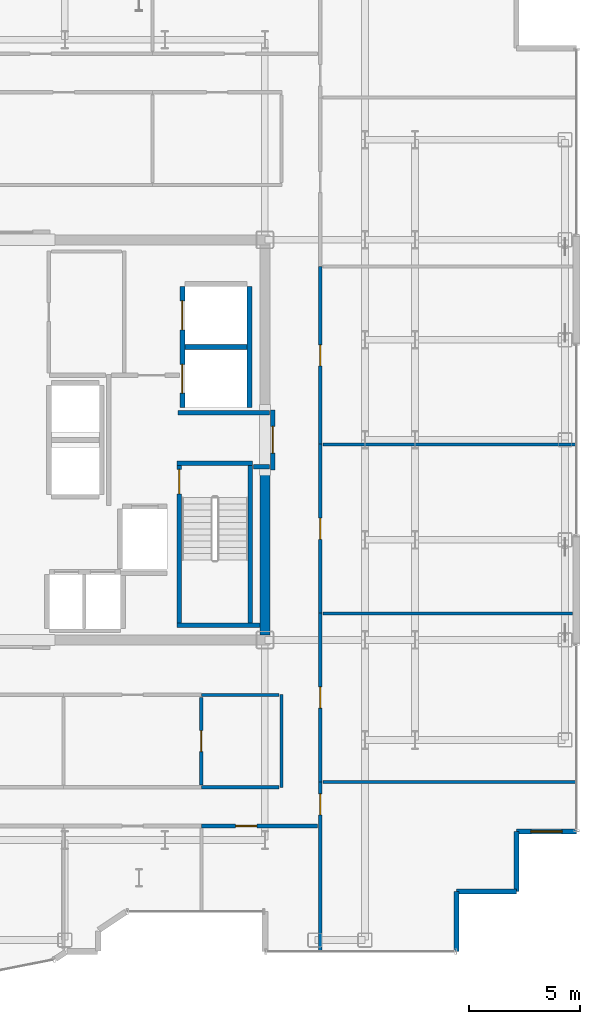
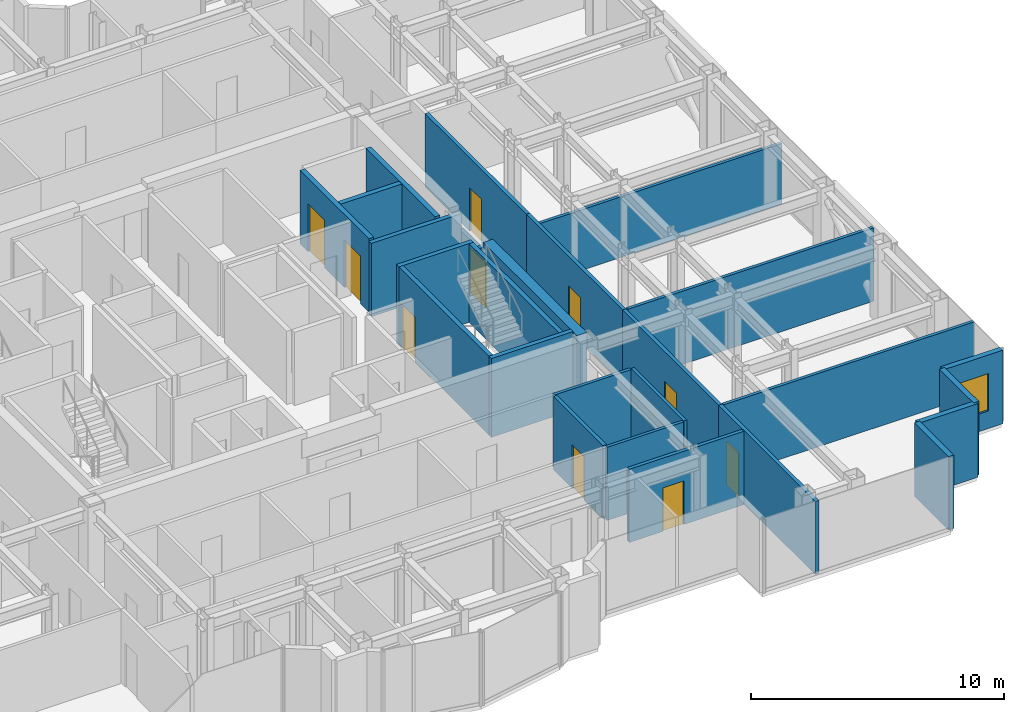
# One storey, part 18 of 21: 27 walls, 10 doors, 1 window, 11 openings.
"""IFC4 building model written with IfcOpenShell, lengths in metres."""

from ifc_helpers import new_model, si_unit, direction, frame, frame_2d, origin, place, context, subcontext, project, spatial, rectangle, extrude, source, transform, mapped, material, layer, layer_set, type_object, element, fill, save


model = new_model("IFC4")

# Units and contexts
model_context = context("Model", 3, precision=1e-05, world=origin(), true_north=direction((0.0, 1.0)))
body_context = subcontext(model_context, "Body", "Model", "MODEL_VIEW")
ifc_project = project(units=[si_unit("LENGTHUNIT", "METRE"), si_unit("AREAUNIT", "SQUARE_METRE"), si_unit("VOLUMEUNIT", "CUBIC_METRE"), si_unit("PLANEANGLEUNIT", "RADIAN"), si_unit("MASSUNIT", "GRAM", prefix="KILO")], contexts=[model_context])

# Site, building, storey
site_placement = place(None, origin())
site = spatial("IfcSite", under=ifc_project, at=site_placement, CompositionType="ELEMENT")
building_placement = place(site_placement, origin())
building = spatial("IfcBuilding", under=site, at=building_placement, Name="Nefas-Gora Pilgrimage Tower", CompositionType="ELEMENT")
storey_placement = place(building_placement, frame((0.0, 0.0, 229.39990234375)))
storey = spatial("IfcBuildingStorey", under=building, at=storey_placement, Name="L57", CompositionType="ELEMENT", Elevation=229.39990234375)

# Walls
ifc_material_1 = material(Name="Concrete C50/60", Category="concrete")
ifc_layer_1 = layer(ifc_material_1, 0.449951171875)
ifc_layer_set_1 = layer_set([ifc_layer_1], Name="Concrete C50/60")
wall_type_1 = type_object("IfcWallType", Name="SW-CORE-450", PredefinedType="SHEAR", material=ifc_layer_set_1)
shared_shape_1 = source(origin(), body_context, "Body", "SweptSolid", [
    extrude(rectangle(XDim=7.4248046875, YDim=0.449951171875, at=frame_2d((3.71240234375, 0.0))), origin(), (0.0, 0.0, 1.0), 3.800048828125),
])
wall_1_placement = place(storey_placement, frame((11.25, -8.77490234375, 0.0), z_axis=(0.0, 0.0, 1.0), x_axis=(0.0, 1.0, 0.0)))
element("IfcWall", 1, at=wall_1_placement, inside=storey, type_object=wall_type_1, Name="L57 Core Shear Wall E-South", PredefinedType="SHEAR", context=body_context, shape_type="MappedRepresentation", body=[
    mapped(shared_shape_1, transform((0.0, 0.0, 0.0), x_axis=(1.0, 0.0, 0.0), y_axis=(0.0, 1.0, 0.0), z_axis=(0.0, 0.0, 1.0), scale=1.0)),
])
ifc_material_2 = material(Name="Precast concrete C45/55", Category="concrete")
ifc_layer_2 = layer(ifc_material_2, 0.239990234375)
ifc_layer_set_2 = layer_set([ifc_layer_2], Name="Precast concrete C45/55")
wall_type_2 = type_object("IfcWallType", Name="EW-SERR-240", PredefinedType="SHEAR", material=ifc_layer_set_2)
shared_shape_2 = source(origin(), body_context, "Body", "SweptSolid", [
    extrude(rectangle(XDim=2.699951171875, YDim=0.239990234375, at=frame_2d((1.35009765625, 0.0))), origin(), (0.0, 0.0, 1.0), 3.550048828125),
])
for number, where, z_axis, x_axis, name in (
    (2, (19.8701171875, -23.02001953125, 0.0), (0.0, 0.0, 1.0), (0.0, 1.0, 0.0), "L57 Serrated Corner Shear Pier Wall 6"),
    (3, (19.8701171875, -20.320068359375, 0.0), (0.0, 0.0, 1.0), (1.0, 0.0, 0.0), "L57 Serrated Corner Shear Pier Wall 7"),
    (4, (22.570068359375, -20.320068359375, 0.0), (0.0, 0.0, 1.0), (0.0, 1.0, 0.0), "L57 Serrated Corner Shear Pier Wall 8"),
):
    element("IfcWall", number, at=place(storey_placement, frame(where, z_axis=z_axis, x_axis=x_axis)), inside=storey, type_object=wall_type_2, Name=name, PredefinedType="SHEAR", context=body_context, shape_type="MappedRepresentation", body=[
        mapped(shared_shape_2, transform((0.0, 0.0, 0.0), x_axis=(1.0, 0.0, 0.0), y_axis=(0.0, 1.0, 0.0), z_axis=(0.0, 0.0, 1.0), scale=1.0)),
    ])

# Wall, opening, window
wall_2_placement = place(storey_placement, frame((22.570068359375, -17.6201171875, 0.0), z_axis=(0.0, 0.0, 1.0), x_axis=(1.0, 0.0, 0.0)))
wall_2 = element("IfcWall", 5, at=wall_2_placement, inside=storey, type_object=wall_type_2, Name="L57 Serrated Corner Shear Pier Wall 9", PredefinedType="SHEAR", context=body_context, shape_type="MappedRepresentation", body=[
    mapped(shared_shape_2, transform((0.0, 0.0, 0.0), x_axis=(1.0, 0.0, 0.0), y_axis=(0.0, 1.0, 0.0), z_axis=(0.0, 0.0, 1.0), scale=1.0)),
])
opening_1_placement = place(wall_2_placement, frame((0.64990234375, 0.0, 0.85009765625)))
opening_1 = element("IfcOpeningElement", 6, at=opening_1_placement, cuts=wall_2, Name="Opening W-V2", PredefinedType="OPENING", context=body_context, shape_type="SweptSolid", body=[
    extrude(rectangle(XDim=1.39990234375, YDim=1.800048828125, at=frame_2d((0.699951171875, 0.89990234375))), frame((0.0, 0.1298828125, 0.0), z_axis=(0.0, -1.0, 0.0), x_axis=(1.0, 0.0, 0.0)), (0.0, 0.0, 1.0), 0.260009765625),
])
ifc_material_3 = material(Name="Dark ceramic-fritted operable aluminium-glass window", Category="aluminium")
window_type = type_object("IfcWindowType", Name="WIN-VENT-1400x1800", PartitioningType="SINGLE_PANEL", PredefinedType="WINDOW", material=ifc_material_3)
shared_shape_3 = source(origin(), body_context, "Body", "SweptSolid", [
    extrude(rectangle(XDim=1.39990234375, YDim=1.800048828125, at=frame_2d((0.699951171875, 0.89990234375))), frame((0.0, 0.030029296875, 0.0), z_axis=(0.0, -1.0, 0.0), x_axis=(1.0, 0.0, 0.0)), (0.0, 0.0, 1.0), 0.06005859375),
])
window_placement = place(opening_1_placement, origin())
window = element("IfcWindow", 7, at=window_placement, inside=storey, type_object=window_type, Name="L57 Operable Parallel-Outswing Window 9", OverallHeight=1.800048828125, OverallWidth=1.39990234375, PartitioningType="SINGLE_PANEL", PredefinedType="WINDOW", context=body_context, shape_type="MappedRepresentation", body=[
    mapped(shared_shape_3, transform((0.0, 0.0, 0.0), x_axis=(1.0, 0.0, 0.0), y_axis=(0.0, 1.0, 0.0), z_axis=(0.0, 0.0, 1.0), scale=1.0)),
])
fill(opening_1, window)

# Wall
ifc_material_4 = material(Name="Concrete C45/55", Category="concrete")
ifc_layer_3 = layer(ifc_material_4, 0.199951171875)
ifc_layer_set_3 = layer_set([ifc_layer_3], Name="Concrete C45/55")
wall_type_3 = type_object("IfcWallType", Name="IW-STAIR-200", PredefinedType="SOLIDWALL", material=ifc_layer_set_3)
shared_shape_4 = source(origin(), body_context, "Body", "SweptSolid", [
    extrude(rectangle(XDim=3.39990234375, YDim=0.199951171875, at=frame_2d((1.699951171875, 0.0))), origin(), (0.0, 0.0, 1.0), 3.800048828125),
])
wall_3_placement = place(storey_placement, frame((7.300048828125, -1.050048828125, 0.0), z_axis=(0.0, 0.0, 1.0), x_axis=(1.0, 0.0, 0.0)))
element("IfcWall", 8, at=wall_3_placement, inside=storey, type_object=wall_type_3, Name="L57 Stairwell Shear Wall ST-02-near", PredefinedType="SOLIDWALL", context=body_context, shape_type="MappedRepresentation", body=[
    mapped(shared_shape_4, transform((0.0, 0.0, 0.0), x_axis=(1.0, 0.0, 0.0), y_axis=(0.0, 1.0, 0.0), z_axis=(0.0, 0.0, 1.0), scale=1.0)),
])

# Wall, opening, door
shared_shape_5 = source(origin(), body_context, "Body", "SweptSolid", [
    extrude(rectangle(XDim=7.10009765625, YDim=0.199951171875, at=frame_2d((3.550048828125, 0.0))), origin(), (0.0, 0.0, 1.0), 3.800048828125),
])
wall_4_placement = place(storey_placement, frame((7.39990234375, -1.14990234375, 0.0), z_axis=(0.0, 0.0, 1.0), x_axis=(0.0, -1.0, 0.0)))
wall_4 = element("IfcWall", 9, at=wall_4_placement, inside=storey, type_object=wall_type_3, Name="L57 Stairwell Shear Wall ST-02-left", PredefinedType="SOLIDWALL", context=body_context, shape_type="MappedRepresentation", body=[
    mapped(shared_shape_5, transform((0.0, 0.0, 0.0), x_axis=(1.0, 0.0, 0.0), y_axis=(0.0, 1.0, 0.0), z_axis=(0.0, 0.0, 1.0), scale=1.0)),
])
opening_2_placement = place(wall_4_placement, frame((0.179931640625, 0.0, 0.0)))
opening_2 = element("IfcOpeningElement", 10, at=opening_2_placement, cuts=wall_4, Name="Opening ID-ST1", PredefinedType="OPENING", context=body_context, shape_type="SweptSolid", body=[
    extrude(rectangle(XDim=1.10009765625, YDim=2.14990234375, at=frame_2d((0.550048828125, 1.074951171875))), frame((0.0, 0.10986328125, 0.0), z_axis=(0.0, -1.0, 0.0), x_axis=(1.0, 0.0, 0.0)), (0.0, 0.0, 1.0), 0.219970703125),
])
ifc_material_5 = material(Name="Painted galvanised steel fire stair door", Category="steel")
door_type_1 = type_object("IfcDoorType", Name="DR-INT-STAIR-1100", OperationType="NOTDEFINED", PredefinedType="DOOR", material=ifc_material_5)
shared_shape_6 = source(origin(), body_context, "Body", "SweptSolid", [
    extrude(rectangle(XDim=1.10009765625, YDim=2.14990234375, at=frame_2d((0.550048828125, 1.074951171875))), frame((0.0, 0.02490234375, 0.0), z_axis=(0.0, -1.0, 0.0), x_axis=(1.0, 0.0, 0.0)), (0.0, 0.0, 1.0), 0.050048828125),
])
door_1_placement = place(opening_2_placement, origin())
door_1 = element("IfcDoor", 11, at=door_1_placement, inside=storey, type_object=door_type_1, Name="L57 Protected Exit Stair Door ST-02", OperationType="SINGLE_SWING_RIGHT", OverallHeight=2.14990234375, OverallWidth=1.10009765625, PredefinedType="DOOR", context=body_context, shape_type="MappedRepresentation", body=[
    mapped(shared_shape_6, transform((0.0, 0.0, 0.0), x_axis=(1.0, 0.0, 0.0), y_axis=(0.0, 1.0, 0.0), z_axis=(0.0, 0.0, 1.0), scale=1.0)),
])
fill(opening_2, door_1)

# Walls
wall_5_placement = place(storey_placement, frame((10.60009765625, -1.14990234375, 0.0), z_axis=(0.0, 0.0, 1.0), x_axis=(0.0, -1.0, 0.0)))
element("IfcWall", 12, at=wall_5_placement, inside=storey, type_object=wall_type_3, Name="L57 Stairwell Shear Wall ST-02-right", PredefinedType="SOLIDWALL", context=body_context, shape_type="MappedRepresentation", body=[
    mapped(shared_shape_5, transform((0.0, 0.0, 0.0), x_axis=(1.0, 0.0, 0.0), y_axis=(0.0, 1.0, 0.0), z_axis=(0.0, 0.0, 1.0), scale=1.0)),
])
shared_shape_7 = source(origin(), body_context, "Body", "SweptSolid", [
    extrude(rectangle(XDim=3.72998046875, YDim=0.199951171875, at=frame_2d((1.864990234375, 0.0))), origin(), (0.0, 0.0, 1.0), 3.800048828125),
])
wall_6_placement = place(storey_placement, frame((7.300048828125, -8.35009765625, 0.0), z_axis=(0.0, 0.0, 1.0), x_axis=(1.0, 0.0, 0.0)))
element("IfcWall", 13, at=wall_6_placement, inside=storey, type_object=wall_type_3, Name="L57 Stairwell Shear Wall ST-02-far", PredefinedType="SOLIDWALL", context=body_context, shape_type="MappedRepresentation", body=[
    mapped(shared_shape_7, transform((0.0, 0.0, 0.0), x_axis=(1.0, 0.0, 0.0), y_axis=(0.0, 1.0, 0.0), z_axis=(0.0, 0.0, 1.0), scale=1.0)),
])

# Wall, openings, doors
ifc_material_6 = material(Name="Concrete C40/50", Category="concrete")
ifc_layer_4 = layer(ifc_material_6, 0.219970703125)
ifc_layer_set_4 = layer_set([ifc_layer_4], Name="Concrete C40/50")
wall_type_4 = type_object("IfcWallType", Name="IW-SHAFT-220", PredefinedType="SOLIDWALL", material=ifc_layer_set_4)
shared_shape_8 = source(origin(), body_context, "Body", "SweptSolid", [
    extrude(rectangle(XDim=5.449951171875, YDim=0.219970703125, at=frame_2d((2.72509765625, 0.0))), origin(), (0.0, 0.0, 1.0), 3.53515625),
])
wall_7_placement = place(storey_placement, frame((7.5400390625, 6.89990234375, 0.0), z_axis=(0.0, 0.0, 1.0), x_axis=(0.0, -1.0, 0.0)))
wall_7 = element("IfcWall", 14, at=wall_7_placement, inside=storey, type_object=wall_type_4, Name="L57 Hoistway Wall SL-01-02-W", PredefinedType="SOLIDWALL", context=body_context, shape_type="MappedRepresentation", body=[
    mapped(shared_shape_8, transform((0.0, 0.0, 0.0), x_axis=(1.0, 0.0, 0.0), y_axis=(0.0, 1.0, 0.0), z_axis=(0.0, 0.0, 1.0), scale=1.0)),
])
opening_3_placement = place(wall_7_placement, frame((3.5, 0.0, 0.0)))
opening_3 = element("IfcOpeningElement", 15, at=opening_3_placement, cuts=wall_7, Name="Opening LD-SV", PredefinedType="OPENING", context=body_context, shape_type="SweptSolid", body=[
    extrude(rectangle(XDim=1.300048828125, YDim=2.300048828125, at=frame_2d((0.64990234375, 1.14990234375))), frame((0.0, 0.119873046875, 0.0), z_axis=(0.0, -1.0, 0.0), x_axis=(1.0, 0.0, 0.0)), (0.0, 0.0, 1.0), 0.239990234375),
])
opening_4_placement = place(wall_7_placement, frame((0.64990234375, 0.0, 0.0)))
opening_4 = element("IfcOpeningElement", 16, at=opening_4_placement, cuts=wall_7, Name="Opening LD-SV", PredefinedType="OPENING", context=body_context, shape_type="SweptSolid", body=[
    extrude(rectangle(XDim=1.300048828125, YDim=2.300048828125, at=frame_2d((0.64990234375, 1.14990234375))), frame((0.0, 0.119873046875, 0.0), z_axis=(0.0, -1.0, 0.0), x_axis=(1.0, 0.0, 0.0)), (0.0, 0.0, 1.0), 0.239990234375),
])
ifc_material_7 = material(Name="Heavy goods sliding lift landing door")
door_type_2 = type_object("IfcDoorType", Name="DR-LIFT-SERV-1300", OperationType="SLIDING_TO_RIGHT", PredefinedType="DOOR", material=ifc_material_7)
shared_shape_9 = source(origin(), body_context, "Body", "SweptSolid", [
    extrude(rectangle(XDim=1.300048828125, YDim=2.300048828125, at=frame_2d((0.64990234375, 1.14990234375))), frame((0.0, 0.02490234375, 0.0), z_axis=(0.0, -1.0, 0.0), x_axis=(1.0, 0.0, 0.0)), (0.0, 0.0, 1.0), 0.050048828125),
])
door_2_placement = place(opening_3_placement, origin())
door_2 = element("IfcDoor", 17, at=door_2_placement, inside=storey, type_object=door_type_2, Name="L57 Sliding Lift Landing Door SL-01", OperationType="SLIDING_TO_RIGHT", OverallHeight=2.300048828125, OverallWidth=1.300048828125, PredefinedType="DOOR", context=body_context, shape_type="MappedRepresentation", body=[
    mapped(shared_shape_9, transform((0.0, 0.0, 0.0), x_axis=(1.0, 0.0, 0.0), y_axis=(0.0, 1.0, 0.0), z_axis=(0.0, 0.0, 1.0), scale=1.0)),
])
fill(opening_3, door_2)
door_3_placement = place(opening_4_placement, origin())
door_3 = element("IfcDoor", 18, at=door_3_placement, inside=storey, type_object=door_type_2, Name="L57 Sliding Lift Landing Door SL-02", OperationType="SLIDING_TO_RIGHT", OverallHeight=2.300048828125, OverallWidth=1.300048828125, PredefinedType="DOOR", context=body_context, shape_type="MappedRepresentation", body=[
    mapped(shared_shape_9, transform((0.0, 0.0, 0.0), x_axis=(1.0, 0.0, 0.0), y_axis=(0.0, 1.0, 0.0), z_axis=(0.0, 0.0, 1.0), scale=1.0)),
])
fill(opening_4, door_3)

# Walls
wall_8_placement = place(storey_placement, frame((10.56005859375, 1.449951171875, 0.0), z_axis=(0.0, 0.0, 1.0), x_axis=(0.0, 1.0, 0.0)))
element("IfcWall", 19, at=wall_8_placement, inside=storey, type_object=wall_type_4, Name="L57 Hoistway Wall SL-01-02-E", PredefinedType="SOLIDWALL", context=body_context, shape_type="MappedRepresentation", body=[
    mapped(shared_shape_8, transform((0.0, 0.0, 0.0), x_axis=(1.0, 0.0, 0.0), y_axis=(0.0, 1.0, 0.0), z_axis=(0.0, 0.0, 1.0), scale=1.0)),
])
shared_shape_10 = source(origin(), body_context, "Body", "SweptSolid", [
    extrude(rectangle(XDim=2.780029296875, YDim=0.219970703125, at=frame_2d((1.39013671875, 0.0))), origin(), (0.0, 0.0, 1.0), 3.53515625),
])
wall_9_placement = place(storey_placement, frame((7.659912109375, 4.175048828125, 0.0), z_axis=(0.0, 0.0, 1.0), x_axis=(1.0, 0.0, 0.0)))
element("IfcWall", 20, at=wall_9_placement, inside=storey, type_object=wall_type_4, Name="L57 Hoistway Wall SL-01-02-DIV", PredefinedType="SOLIDWALL", context=body_context, shape_type="MappedRepresentation", body=[
    mapped(shared_shape_10, transform((0.0, 0.0, 0.0), x_axis=(1.0, 0.0, 0.0), y_axis=(0.0, 1.0, 0.0), z_axis=(0.0, 0.0, 1.0), scale=1.0)),
])
ifc_material_8 = material(Name="Gypsum fire-rated shaftwall")
ifc_layer_5 = layer(ifc_material_8, 0.199951171875)
ifc_layer_set_5 = layer_set([ifc_layer_5], Name="Gypsum fire-rated shaftwall")
wall_type_5 = type_object("IfcWallType", Name="IW-FFLOB-200", PredefinedType="PARTITIONING", material=ifc_layer_set_5)
shared_shape_11 = source(origin(), body_context, "Body", "SweptSolid", [
    extrude(rectangle(XDim=0.719970703125, YDim=0.199951171875, at=frame_2d((0.35986328125, 0.0))), origin(), (0.0, 0.0, 1.0), 3.53515625),
])
wall_10_placement = place(storey_placement, frame((10.739990234375, -1.219970703125, 0.0), z_axis=(0.0, 0.0, 1.0), x_axis=(1.0, 0.0, 0.0)))
element("IfcWall", 21, at=wall_10_placement, inside=storey, type_object=wall_type_5, Name="L57 FF Lobby East Throat S Wall 14", PredefinedType="PARTITIONING", context=body_context, shape_type="MappedRepresentation", body=[
    mapped(shared_shape_11, transform((0.0, 0.0, 0.0), x_axis=(1.0, 0.0, 0.0), y_axis=(0.0, 1.0, 0.0), z_axis=(0.0, 0.0, 1.0), scale=1.0)),
])
shared_shape_12 = source(origin(), body_context, "Body", "SweptSolid", [
    extrude(rectangle(XDim=4.10986328125, YDim=0.199951171875, at=frame_2d((2.054931640625, 0.0))), origin(), (0.0, 0.0, 1.0), 3.53515625),
])
wall_11_placement = place(storey_placement, frame((7.35009765625, 1.219970703125, 0.0), z_axis=(0.0, 0.0, 1.0), x_axis=(1.0, 0.0, 0.0)))
element("IfcWall", 22, at=wall_11_placement, inside=storey, type_object=wall_type_5, Name="L57 FF Lobby East Throat N Wall 13", PredefinedType="PARTITIONING", context=body_context, shape_type="MappedRepresentation", body=[
    mapped(shared_shape_12, transform((0.0, 0.0, 0.0), x_axis=(1.0, 0.0, 0.0), y_axis=(0.0, 1.0, 0.0), z_axis=(0.0, 0.0, 1.0), scale=1.0)),
])

# Wall, opening, door
ifc_material_9 = material(Name="Gypsum acoustic stud partition")
ifc_layer_6 = layer(ifc_material_9, 0.159912109375)
ifc_layer_set_6 = layer_set([ifc_layer_6], Name="Gypsum acoustic stud partition")
wall_type_6 = type_object("IfcWallType", Name="IW-CORR-160", PredefinedType="PARTITIONING", material=ifc_layer_set_6)
shared_shape_13 = source(origin(), body_context, "Body", "SweptSolid", [
    extrude(rectangle(XDim=5.22509765625, YDim=0.159912109375, at=frame_2d((2.612548828125, 0.0))), origin(), (0.0, 0.0, 1.0), 3.53515625),
])
wall_12_placement = place(storey_placement, frame((8.39501953125, -17.3701171875, 0.0), z_axis=(0.0, 0.0, 1.0), x_axis=(1.0, 0.0, 0.0)))
wall_12 = element("IfcWall", 23, at=wall_12_placement, inside=storey, type_object=wall_type_6, Name="L57 Pilgrim Contemplative Lounge Partition Wall 89", PredefinedType="PARTITIONING", context=body_context, shape_type="MappedRepresentation", body=[
    mapped(shared_shape_13, transform((0.0, 0.0, 0.0), x_axis=(1.0, 0.0, 0.0), y_axis=(0.0, 1.0, 0.0), z_axis=(0.0, 0.0, 1.0), scale=1.0)),
])
opening_5_placement = place(wall_12_placement, frame((1.543212890625, 0.0, 0.0)))
opening_5 = element("IfcOpeningElement", 24, at=opening_5_placement, cuts=wall_12, Name="Opening ID-GR1", PredefinedType="OPENING", context=body_context, shape_type="SweptSolid", body=[
    extrude(rectangle(XDim=0.949951171875, YDim=2.10009765625, at=frame_2d((0.47509765625, 1.050048828125))), frame((0.0, 0.08984375, 0.0), z_axis=(0.0, -1.0, 0.0), x_axis=(1.0, 0.0, 0.0)), (0.0, 0.0, 1.0), 0.179931640625),
])
ifc_material_10 = material(Name="Solid core oak fire-rated guest entrance door")
door_type_3 = type_object("IfcDoorType", Name="DR-INT-GUEST-950", OperationType="NOTDEFINED", PredefinedType="DOOR", material=ifc_material_10)
shared_shape_14 = source(origin(), body_context, "Body", "SweptSolid", [
    extrude(rectangle(XDim=0.949951171875, YDim=2.10009765625, at=frame_2d((0.47509765625, 1.050048828125))), frame((0.0, 0.02490234375, 0.0), z_axis=(0.0, -1.0, 0.0), x_axis=(1.0, 0.0, 0.0)), (0.0, 0.0, 1.0), 0.050048828125),
])
door_4_placement = place(opening_5_placement, origin())
door_4 = element("IfcDoor", 25, at=door_4_placement, inside=storey, type_object=door_type_3, Name="L57 Pilgrim Contemplative Lounge Door 40", OperationType="SINGLE_SWING_RIGHT", OverallHeight=2.10009765625, OverallWidth=0.949951171875, PredefinedType="DOOR", context=body_context, shape_type="MappedRepresentation", body=[
    mapped(shared_shape_14, transform((0.0, 0.0, 0.0), x_axis=(1.0, 0.0, 0.0), y_axis=(0.0, 1.0, 0.0), z_axis=(0.0, 0.0, 1.0), scale=1.0)),
])
fill(opening_5, door_4)

# Wall
ifc_material_11 = material(Name="Gypsum twin-stud partition")
ifc_layer_7 = layer(ifc_material_11, 0.139892578125)
ifc_layer_set_7 = layer_set([ifc_layer_7], Name="Gypsum twin-stud partition")
wall_type_7 = type_object("IfcWallType", Name="IW-UNIT-140", PredefinedType="PARTITIONING", material=ifc_layer_set_7)
shared_shape_15 = source(origin(), body_context, "Body", "SweptSolid", [
    extrude(rectangle(XDim=11.429931640625, YDim=0.139892578125, at=frame_2d((5.71484375, 0.0))), origin(), (0.0, 0.0, 1.0), 3.53515625),
])
wall_13_placement = place(storey_placement, frame((13.860107421875, -15.3974609375, 0.0), z_axis=(0.0, 0.0, 1.0), x_axis=(1.0, 0.0, 0.0)))
element("IfcWall", 26, at=wall_13_placement, inside=storey, type_object=wall_type_7, Name="L57 Pilgrim Fellowship Seminar Room Partition Wall 42", PredefinedType="PARTITIONING", context=body_context, shape_type="MappedRepresentation", body=[
    mapped(shared_shape_15, transform((0.0, 0.0, 0.0), x_axis=(1.0, 0.0, 0.0), y_axis=(0.0, 1.0, 0.0), z_axis=(0.0, 0.0, 1.0), scale=1.0)),
])

# Wall, opening, door
shared_shape_16 = source(origin(), body_context, "Body", "SweptSolid", [
    extrude(rectangle(XDim=3.929931640625, YDim=0.159912109375, at=frame_2d((1.96484375, 0.0))), origin(), (0.0, 0.0, 1.0), 3.53515625),
])
wall_14_placement = place(storey_placement, frame((8.39501953125, -15.52001953125, 0.0), z_axis=(0.0, 0.0, 1.0), x_axis=(0.0, 1.0, 0.0)))
wall_14 = element("IfcWall", 27, at=wall_14_placement, inside=storey, type_object=wall_type_6, Name="L57 Pilgrim Contemplative Lounge Partition Wall 88", PredefinedType="PARTITIONING", context=body_context, shape_type="MappedRepresentation", body=[
    mapped(shared_shape_16, transform((0.0, 0.0, 0.0), x_axis=(1.0, 0.0, 0.0), y_axis=(0.0, 1.0, 0.0), z_axis=(0.0, 0.0, 1.0), scale=1.0)),
])
opening_6_placement = place(wall_14_placement, frame((1.489990234375, 0.0, 0.0)))
opening_6 = element("IfcOpeningElement", 28, at=opening_6_placement, cuts=wall_14, Name="Opening ID-GR1", PredefinedType="OPENING", context=body_context, shape_type="SweptSolid", body=[
    extrude(rectangle(XDim=0.949951171875, YDim=2.10009765625, at=frame_2d((0.47509765625, 1.050048828125))), frame((0.0, 0.08984375, 0.0), z_axis=(0.0, -1.0, 0.0), x_axis=(1.0, 0.0, 0.0)), (0.0, 0.0, 1.0), 0.179931640625),
])
door_5_placement = place(opening_6_placement, origin())
door_5 = element("IfcDoor", 29, at=door_5_placement, inside=storey, type_object=door_type_3, Name="L57 Pilgrim Contemplative Lounge Door 39", OperationType="SINGLE_SWING_LEFT", OverallHeight=2.10009765625, OverallWidth=0.949951171875, PredefinedType="DOOR", context=body_context, shape_type="MappedRepresentation", body=[
    mapped(shared_shape_14, transform((0.0, 0.0, 0.0), x_axis=(1.0, 0.0, 0.0), y_axis=(0.0, 1.0, 0.0), z_axis=(0.0, 0.0, 1.0), scale=1.0)),
])
fill(opening_6, door_5)

# Walls
shared_shape_17 = source(origin(), body_context, "Body", "SweptSolid", [
    extrude(rectangle(XDim=4.179931640625, YDim=0.139892578125, at=frame_2d((2.08984375, 0.0))), origin(), (0.0, 0.0, 1.0), 3.53515625),
])
wall_15_placement = place(storey_placement, frame((12.0, -15.639892578125, 0.0), z_axis=(0.0, 0.0, 1.0), x_axis=(0.0, 1.0, 0.0)))
element("IfcWall", 30, at=wall_15_placement, inside=storey, type_object=wall_type_7, Name="L57 Pilgrim Contemplative Lounge Partition Wall 90", PredefinedType="PARTITIONING", context=body_context, shape_type="MappedRepresentation", body=[
    mapped(shared_shape_17, transform((0.0, 0.0, 0.0), x_axis=(1.0, 0.0, 0.0), y_axis=(0.0, 1.0, 0.0), z_axis=(0.0, 0.0, 1.0), scale=1.0)),
])
shared_shape_18 = source(origin(), body_context, "Body", "SweptSolid", [
    extrude(rectangle(XDim=3.494873046875, YDim=0.139892578125, at=frame_2d((1.74755859375, 0.0))), origin(), (0.0, 0.0, 1.0), 3.53515625),
])
for number, where, z_axis, x_axis, name in (
    (31, (8.39501953125, -11.469970703125, 0.0), (0.0, 0.0, 1.0), (1.0, 0.0, 0.0), "L57 Pilgrim Contemplative Lounge Partition Wall 91"),
    (32, (8.39501953125, -15.6298828125, 0.0), (0.0, 0.0, 1.0), (1.0, 0.0, 0.0), "L57 Pilgrim Contemplative Lounge Partition Wall 92"),
):
    element("IfcWall", number, at=place(storey_placement, frame(where, z_axis=z_axis, x_axis=x_axis)), inside=storey, type_object=wall_type_7, Name=name, PredefinedType="PARTITIONING", context=body_context, shape_type="MappedRepresentation", body=[
        mapped(shared_shape_18, transform((0.0, 0.0, 0.0), x_axis=(1.0, 0.0, 0.0), y_axis=(0.0, 1.0, 0.0), z_axis=(0.0, 0.0, 1.0), scale=1.0)),
    ])
shared_shape_19 = source(origin(), body_context, "Body", "SweptSolid", [
    extrude(rectangle(XDim=11.219970703125, YDim=0.139892578125, at=frame_2d((5.60986328125, 0.0))), origin(), (0.0, 0.0, 1.0), 3.53515625),
])
wall_16_placement = place(storey_placement, frame((13.860107421875, -7.804931640625, 0.0), z_axis=(0.0, 0.0, 1.0), x_axis=(1.0, 0.0, 0.0)))
element("IfcWall", 33, at=wall_16_placement, inside=storey, type_object=wall_type_7, Name="L57 Pilgrim Fellowship Seminar Room Partition Wall 44", PredefinedType="PARTITIONING", context=body_context, shape_type="MappedRepresentation", body=[
    mapped(shared_shape_19, transform((0.0, 0.0, 0.0), x_axis=(1.0, 0.0, 0.0), y_axis=(0.0, 1.0, 0.0), z_axis=(0.0, 0.0, 1.0), scale=1.0)),
])

# Wall, opening, door
shared_shape_20 = source(origin(), body_context, "Body", "SweptSolid", [
    extrude(rectangle(XDim=8.010009765625, YDim=0.159912109375, at=frame_2d((4.0048828125, 0.0))), origin(), (0.0, 0.0, 1.0), 3.53515625),
])
wall_17_placement = place(storey_placement, frame((13.739990234375, -0.205078125, 0.0), z_axis=(0.0, 0.0, 1.0), x_axis=(0.0, 1.0, 0.0)))
wall_17 = element("IfcWall", 34, at=wall_17_placement, inside=storey, type_object=wall_type_6, Name="L57 Pilgrim Contemplative Lounge Partition Wall 47", PredefinedType="PARTITIONING", context=body_context, shape_type="MappedRepresentation", body=[
    mapped(shared_shape_20, transform((0.0, 0.0, 0.0), x_axis=(1.0, 0.0, 0.0), y_axis=(0.0, 1.0, 0.0), z_axis=(0.0, 0.0, 1.0), scale=1.0)),
])
opening_7_placement = place(wall_17_placement, frame((3.530029296875, 0.0, 0.0)))
opening_7 = element("IfcOpeningElement", 35, at=opening_7_placement, cuts=wall_17, Name="Opening ID-GR1", PredefinedType="OPENING", context=body_context, shape_type="SweptSolid", body=[
    extrude(rectangle(XDim=0.949951171875, YDim=2.10009765625, at=frame_2d((0.47509765625, 1.050048828125))), frame((0.0, 0.08984375, 0.0), z_axis=(0.0, -1.0, 0.0), x_axis=(1.0, 0.0, 0.0)), (0.0, 0.0, 1.0), 0.179931640625),
])
door_6_placement = place(opening_7_placement, origin())
door_6 = element("IfcDoor", 36, at=door_6_placement, inside=storey, type_object=door_type_3, Name="L57 Pilgrim Contemplative Lounge Door 21", OperationType="SINGLE_SWING_LEFT", OverallHeight=2.10009765625, OverallWidth=0.949951171875, PredefinedType="DOOR", context=body_context, shape_type="MappedRepresentation", body=[
    mapped(shared_shape_14, transform((0.0, 0.0, 0.0), x_axis=(1.0, 0.0, 0.0), y_axis=(0.0, 1.0, 0.0), z_axis=(0.0, 0.0, 1.0), scale=1.0)),
])
fill(opening_7, door_6)

shared_shape_21 = source(origin(), body_context, "Body", "SweptSolid", [
    extrude(rectangle(XDim=2.7001953125, YDim=0.199951171875, at=frame_2d((1.35009765625, 0.0))), origin(), (0.0, 0.0, 1.0), 2.625),
])
wall_18_placement = place(storey_placement, frame((11.60009765625, -1.35009765625, 0.0), z_axis=(0.0, 0.0, 1.0), x_axis=(0.0, 1.0, 0.0)))
wall_18 = element("IfcWall", 37, at=wall_18_placement, inside=storey, type_object=wall_type_5, Name="L57 FF Lobby East Portal Wall 9", PredefinedType="PARTITIONING", context=body_context, shape_type="MappedRepresentation", body=[
    mapped(shared_shape_21, transform((0.0, 0.0, 0.0), x_axis=(1.0, 0.0, 0.0), y_axis=(0.0, 1.0, 0.0), z_axis=(0.0, 0.0, 1.0), scale=1.0)),
])
opening_8_placement = place(wall_18_placement, frame((0.75, 0.0, 0.0)))
opening_8 = element("IfcOpeningElement", 38, at=opening_8_placement, cuts=wall_18, Name="Opening ID-FF1", PredefinedType="OPENING", context=body_context, shape_type="SweptSolid", body=[
    extrude(rectangle(XDim=1.199951171875, YDim=2.14990234375, at=frame_2d((0.60009765625, 1.074951171875))), frame((0.0, 0.10986328125, 0.0), z_axis=(0.0, -1.0, 0.0), x_axis=(1.0, 0.0, 0.0)), (0.0, 0.0, 1.0), 0.219970703125),
])
ifc_material_12 = material(Name="Smoke-sealed steel firefighting lobby door", Category="steel")
door_type_4 = type_object("IfcDoorType", Name="DR-INT-FFLOB-1200", OperationType="NOTDEFINED", PredefinedType="DOOR", material=ifc_material_12)
shared_shape_22 = source(origin(), body_context, "Body", "SweptSolid", [
    extrude(rectangle(XDim=1.199951171875, YDim=2.14990234375, at=frame_2d((0.60009765625, 1.074951171875))), frame((0.0, 0.02490234375, 0.0), z_axis=(0.0, -1.0, 0.0), x_axis=(1.0, 0.0, 0.0)), (0.0, 0.0, 1.0), 0.050048828125),
])
door_7_placement = place(opening_8_placement, origin())
door_7 = element("IfcDoor", 39, at=door_7_placement, inside=storey, type_object=door_type_4, Name="L57 FF Lobby East Portal Door 3", OperationType="SINGLE_SWING_LEFT", OverallHeight=2.14990234375, OverallWidth=1.199951171875, PredefinedType="DOOR", context=body_context, shape_type="MappedRepresentation", body=[
    mapped(shared_shape_22, transform((0.0, 0.0, 0.0), x_axis=(1.0, 0.0, 0.0), y_axis=(0.0, 1.0, 0.0), z_axis=(0.0, 0.0, 1.0), scale=1.0)),
])
fill(opening_8, door_7)

# Wall
shared_shape_23 = source(origin(), body_context, "Body", "SweptSolid", [
    extrude(rectangle(XDim=11.429931640625, YDim=0.139892578125, at=frame_2d((5.71484375, 0.0))), origin(), (0.0, 0.0, 1.0), 2.925048828125),
])
wall_19_placement = place(storey_placement, frame((13.860107421875, -0.205078125, 0.0), z_axis=(0.0, 0.0, 1.0), x_axis=(1.0, 0.0, 0.0)))
element("IfcWall", 40, at=wall_19_placement, inside=storey, type_object=wall_type_7, Name="L57 Pilgrim Fellowship Seminar Room Partition Wall 46", PredefinedType="PARTITIONING", context=body_context, shape_type="MappedRepresentation", body=[
    mapped(shared_shape_23, transform((0.0, 0.0, 0.0), x_axis=(1.0, 0.0, 0.0), y_axis=(0.0, 1.0, 0.0), z_axis=(0.0, 0.0, 1.0), scale=1.0)),
])

# Wall, opening, door
shared_shape_24 = source(origin(), body_context, "Body", "SweptSolid", [
    extrude(rectangle(XDim=7.652587890625, YDim=0.159912109375, at=frame_2d((3.826171875, 0.0))), origin(), (0.0, 0.0, 1.0), 3.53515625),
])
wall_20_placement = place(storey_placement, frame((13.739990234375, -23.0400390625, 0.0), z_axis=(0.0, 0.0, 1.0), x_axis=(0.0, 1.0, 0.0)))
wall_20 = element("IfcWall", 41, at=wall_20_placement, inside=storey, type_object=wall_type_6, Name="L57 Pilgrim Fellowship Seminar Room Partition Wall 41", PredefinedType="PARTITIONING", context=body_context, shape_type="MappedRepresentation", body=[
    mapped(shared_shape_24, transform((0.0, 0.0, 0.0), x_axis=(1.0, 0.0, 0.0), y_axis=(0.0, 1.0, 0.0), z_axis=(0.0, 0.0, 1.0), scale=1.0)),
])
opening_9_placement = place(wall_20_placement, frame((6.166259765625, 0.0, 0.0)))
opening_9 = element("IfcOpeningElement", 42, at=opening_9_placement, cuts=wall_20, Name="Opening ID-GR1", PredefinedType="OPENING", context=body_context, shape_type="SweptSolid", body=[
    extrude(rectangle(XDim=0.949951171875, YDim=2.10009765625, at=frame_2d((0.47509765625, 1.050048828125))), frame((0.0, 0.08984375, 0.0), z_axis=(0.0, -1.0, 0.0), x_axis=(1.0, 0.0, 0.0)), (0.0, 0.0, 1.0), 0.179931640625),
])
door_8_placement = place(opening_9_placement, origin())
door_8 = element("IfcDoor", 43, at=door_8_placement, inside=storey, type_object=door_type_3, Name="L57 Pilgrim Fellowship Seminar Room Door 18", OperationType="SINGLE_SWING_RIGHT", OverallHeight=2.10009765625, OverallWidth=0.949951171875, PredefinedType="DOOR", context=body_context, shape_type="MappedRepresentation", body=[
    mapped(shared_shape_14, transform((0.0, 0.0, 0.0), x_axis=(1.0, 0.0, 0.0), y_axis=(0.0, 1.0, 0.0), z_axis=(0.0, 0.0, 1.0), scale=1.0)),
])
fill(opening_9, door_8)

shared_shape_25 = source(origin(), body_context, "Body", "SweptSolid", [
    extrude(rectangle(XDim=7.592529296875, YDim=0.159912109375, at=frame_2d((3.79638671875, 0.0))), origin(), (0.0, 0.0, 1.0), 3.53515625),
])
wall_21_placement = place(storey_placement, frame((13.739990234375, -15.387451171875, 0.0), z_axis=(0.0, 0.0, 1.0), x_axis=(0.0, 1.0, 0.0)))
wall_21 = element("IfcWall", 44, at=wall_21_placement, inside=storey, type_object=wall_type_6, Name="L57 Pilgrim Fellowship Seminar Room Partition Wall 43", PredefinedType="PARTITIONING", context=body_context, shape_type="MappedRepresentation", body=[
    mapped(shared_shape_25, transform((0.0, 0.0, 0.0), x_axis=(1.0, 0.0, 0.0), y_axis=(0.0, 1.0, 0.0), z_axis=(0.0, 0.0, 1.0), scale=1.0)),
])
opening_10_placement = place(wall_21_placement, frame((3.3212890625, 0.0, 0.0)))
opening_10 = element("IfcOpeningElement", 45, at=opening_10_placement, cuts=wall_21, Name="Opening ID-GR1", PredefinedType="OPENING", context=body_context, shape_type="SweptSolid", body=[
    extrude(rectangle(XDim=0.949951171875, YDim=2.10009765625, at=frame_2d((0.47509765625, 1.050048828125))), frame((0.0, 0.08984375, 0.0), z_axis=(0.0, -1.0, 0.0), x_axis=(1.0, 0.0, 0.0)), (0.0, 0.0, 1.0), 0.179931640625),
])
door_9_placement = place(opening_10_placement, origin())
door_9 = element("IfcDoor", 46, at=door_9_placement, inside=storey, type_object=door_type_3, Name="L57 Pilgrim Fellowship Seminar Room Door 19", OperationType="SINGLE_SWING_LEFT", OverallHeight=2.10009765625, OverallWidth=0.949951171875, PredefinedType="DOOR", context=body_context, shape_type="MappedRepresentation", body=[
    mapped(shared_shape_14, transform((0.0, 0.0, 0.0), x_axis=(1.0, 0.0, 0.0), y_axis=(0.0, 1.0, 0.0), z_axis=(0.0, 0.0, 1.0), scale=1.0)),
])
fill(opening_10, door_9)

shared_shape_26 = source(origin(), body_context, "Body", "SweptSolid", [
    extrude(rectangle(XDim=7.60986328125, YDim=0.159912109375, at=frame_2d((3.804931640625, 0.0))), origin(), (0.0, 0.0, 1.0), 3.53515625),
])
wall_22_placement = place(storey_placement, frame((13.739990234375, -7.804931640625, 0.0), z_axis=(0.0, 0.0, 1.0), x_axis=(0.0, 1.0, 0.0)))
wall_22 = element("IfcWall", 47, at=wall_22_placement, inside=storey, type_object=wall_type_6, Name="L57 Pilgrim Fellowship Seminar Room Partition Wall 45", PredefinedType="PARTITIONING", context=body_context, shape_type="MappedRepresentation", body=[
    mapped(shared_shape_26, transform((0.0, 0.0, 0.0), x_axis=(1.0, 0.0, 0.0), y_axis=(0.0, 1.0, 0.0), z_axis=(0.0, 0.0, 1.0), scale=1.0)),
])
opening_11_placement = place(wall_22_placement, frame((3.330078125, 0.0, 0.0)))
opening_11 = element("IfcOpeningElement", 48, at=opening_11_placement, cuts=wall_22, Name="Opening ID-GR1", PredefinedType="OPENING", context=body_context, shape_type="SweptSolid", body=[
    extrude(rectangle(XDim=0.949951171875, YDim=2.10009765625, at=frame_2d((0.47509765625, 1.050048828125))), frame((0.0, 0.08984375, 0.0), z_axis=(0.0, -1.0, 0.0), x_axis=(1.0, 0.0, 0.0)), (0.0, 0.0, 1.0), 0.179931640625),
])
door_10_placement = place(opening_11_placement, origin())
door_10 = element("IfcDoor", 49, at=door_10_placement, inside=storey, type_object=door_type_3, Name="L57 Pilgrim Fellowship Seminar Room Door 20", OperationType="SINGLE_SWING_RIGHT", OverallHeight=2.10009765625, OverallWidth=0.949951171875, PredefinedType="DOOR", context=body_context, shape_type="MappedRepresentation", body=[
    mapped(shared_shape_14, transform((0.0, 0.0, 0.0), x_axis=(1.0, 0.0, 0.0), y_axis=(0.0, 1.0, 0.0), z_axis=(0.0, 0.0, 1.0), scale=1.0)),
])
fill(opening_11, door_10)

save(model, "model.ifc")
